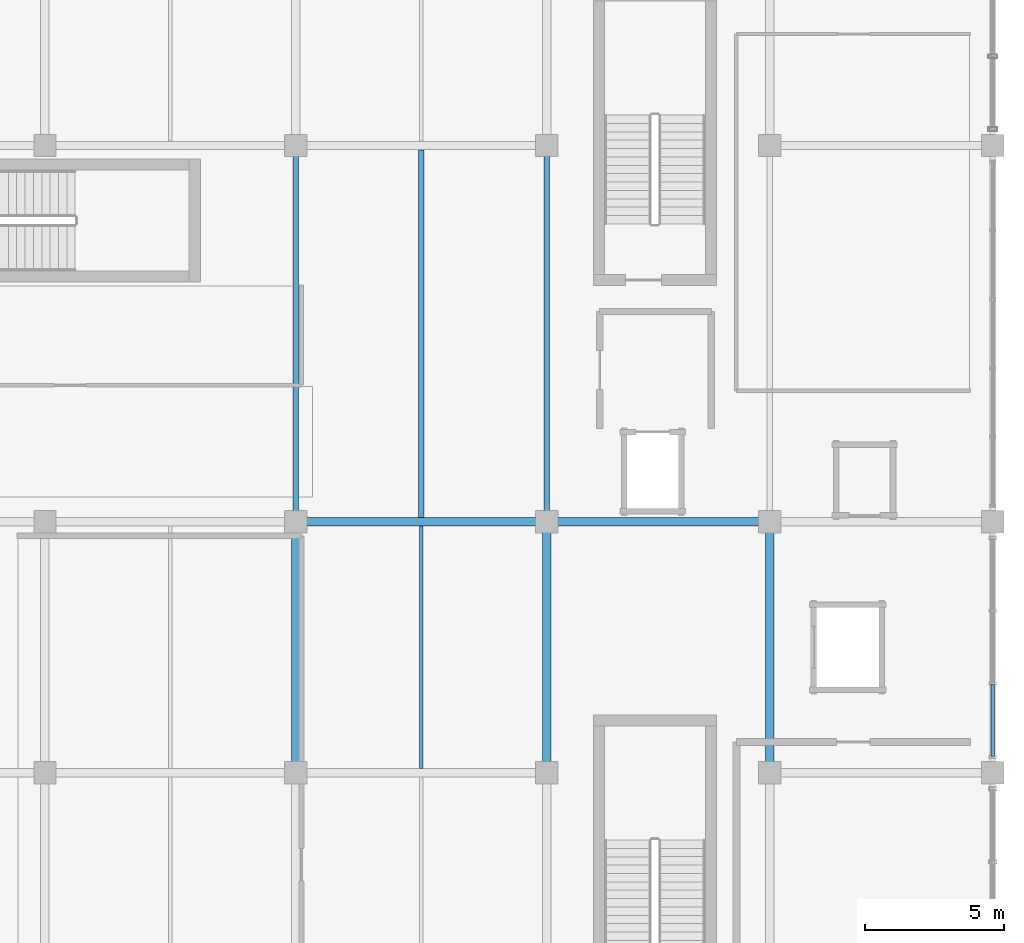
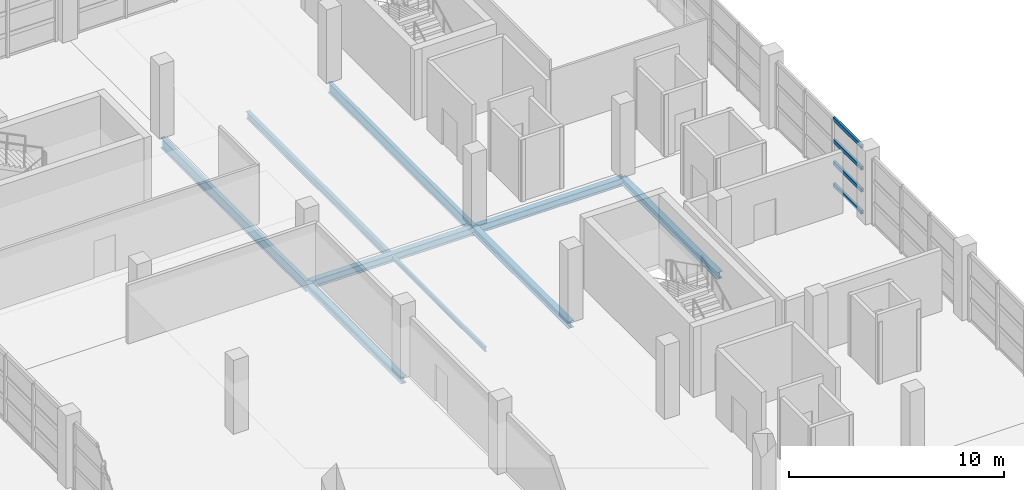
# One storey, part 92 of 136: 9 beams, 4 members, 1 element without a shape of its own.
"""IFC4 building model written with IfcOpenShell, lengths in metres."""

from ifc_helpers import new_model, si_unit, direction, frame, origin, origin_2d, place, context, subcontext, project, spatial, hollow_rectangle, i_section, extrude, material, material_profile, profile_set, type_object, element, aggregate, save


model = new_model("IFC4")

# Units and contexts
model_context = context("Model", 3, precision=1e-05, world=origin(), true_north=direction((0.0, 1.0)))
body_context = subcontext(model_context, "Body", "Model", "MODEL_VIEW")
ifc_project = project(units=[si_unit("LENGTHUNIT", "METRE"), si_unit("AREAUNIT", "SQUARE_METRE"), si_unit("VOLUMEUNIT", "CUBIC_METRE"), si_unit("PLANEANGLEUNIT", "RADIAN"), si_unit("MASSUNIT", "GRAM", prefix="KILO")], contexts=[model_context])

# Site, building, storey
site_placement = place(None, origin())
site = spatial("IfcSite", under=ifc_project, at=site_placement, CompositionType="ELEMENT")
building_placement = place(site_placement, origin())
building = spatial("IfcBuilding", under=site, at=building_placement, Name="Chuanluo Vaults Station", CompositionType="ELEMENT")
storey_placement = place(building_placement, frame((0.0, 0.0, 6.60009765625)))
storey = spatial("IfcBuildingStorey", under=building, at=storey_placement, Name="L01", CompositionType="ELEMENT", Elevation=6.60009765625)

# Beams
ifc_material_1 = material(Name="Steel Q355C", Category="steel")
ifc_material_profile_1 = material_profile(ifc_material_1, i_section(OverallWidth=0.300048828125, OverallDepth=0.389892578125, WebThickness=0.010009765625, FlangeThickness=0.01611328125, FilletRadius=0.02001953125, at=origin_2d()))
ifc_profile_set_1 = profile_set([ifc_material_profile_1], Name="Steel Q355C")
beam_type_1 = type_object("IfcBeamType", Name="BM-GRD-400", PredefinedType="BEAM", material=ifc_profile_set_1)
for number, where, z_axis, x_axis, name in (
    (1, (163.0, 94.5, -0.43505859375), (0.0, 1.0, 0.0), (-1.0, 0.0, 0.0), "Floor girder BM:GY:L01:0497"),
    (2, (172.0, 94.5, -0.43505859375), (0.0, 1.0, 0.0), (-1.0, 0.0, 0.0), "Floor girder BM:GY:L01:0509"),
    (3, (180.0, 94.5, -0.43505859375), (0.0, 1.0, 0.0), (-1.0, 0.0, 0.0), "Floor girder BM:GY:L01:0520"),
):
    element("IfcBeam", number, at=place(storey_placement, frame(where, z_axis=z_axis, x_axis=x_axis)), inside=storey, type_object=beam_type_1, Name=name, PredefinedType="BEAM", context=body_context, shape_type="SweptSolid", body=[
        extrude(i_section(OverallWidth=0.300048828125, OverallDepth=0.389892578125, WebThickness=0.010009765625, FlangeThickness=0.01611328125, FilletRadius=0.02001953125, at=origin_2d()), origin(), (0.0, 0.0, 1.0), 9.0),
    ])
ifc_material_2 = material(Name="Steel Q355C", Category="steel")
ifc_material_profile_2 = material_profile(ifc_material_2, i_section(OverallWidth=0.300048828125, OverallDepth=0.43994140625, WebThickness=0.010986328125, FlangeThickness=0.01806640625, FilletRadius=0.02001953125, at=origin_2d()))
ifc_profile_set_2 = profile_set([ifc_material_profile_2], Name="Steel Q355C")
beam_type_2 = type_object("IfcBeamType", Name="BM-GRD-450", PredefinedType="USERDEFINED", material=ifc_profile_set_2)
beam_1_placement = place(storey_placement, frame((163.0, 103.5, -0.460205078125), z_axis=(1.0, 0.0, 0.0), x_axis=(0.0, 1.0, 0.0)))
element("IfcBeam", 4, at=beam_1_placement, inside=storey, type_object=beam_type_2, Name="Floor girder BM:GX:L01:0374", ObjectType="GIRDER", PredefinedType="USERDEFINED", context=body_context, shape_type="SweptSolid", body=[
    extrude(i_section(OverallWidth=0.300048828125, OverallDepth=0.43994140625, WebThickness=0.010986328125, FlangeThickness=0.01806640625, FilletRadius=0.02001953125, at=origin_2d()), origin(), (0.0, 0.0, 1.0), 9.0),
])
beam_2_placement = place(storey_placement, frame((172.0, 103.5, -0.460205078125), z_axis=(1.0, 0.0, 0.0), x_axis=(0.0, 1.0, 0.0)))
element("IfcBeam", 5, at=beam_2_placement, inside=storey, type_object=beam_type_2, Name="Floor girder BM:GX:L01:0375", ObjectType="GIRDER", PredefinedType="USERDEFINED", context=body_context, shape_type="SweptSolid", body=[
    extrude(i_section(OverallWidth=0.300048828125, OverallDepth=0.43994140625, WebThickness=0.010986328125, FlangeThickness=0.01806640625, FilletRadius=0.02001953125, at=origin_2d()), origin(), (0.0, 0.0, 1.0), 8.0),
])
ifc_material_3 = material(Name="Steel Q355C", Category="steel")
ifc_material_profile_3 = material_profile(ifc_material_3, i_section(OverallWidth=0.199951171875, OverallDepth=0.60009765625, WebThickness=0.010986328125, FlangeThickness=0.01708984375, FilletRadius=0.01806640625, at=origin_2d()))
ifc_profile_set_3 = profile_set([ifc_material_profile_3], Name="Steel Q355C")
beam_type_3 = type_object("IfcBeamType", Name="BM-GRD-600", PredefinedType="USERDEFINED", material=ifc_profile_set_3)
for number, where, z_axis, x_axis, name in (
    (6, (163.0, 103.5, -0.5400390625), (0.0, 1.0, 0.0), (-1.0, 0.0, 0.0), "Floor girder BM:GY:L01:0498"),
    (7, (172.0, 103.5, -0.5400390625), (0.0, 1.0, 0.0), (-1.0, 0.0, 0.0), "Floor girder BM:GY:L01:0510"),
):
    element("IfcBeam", number, at=place(storey_placement, frame(where, z_axis=z_axis, x_axis=x_axis)), inside=storey, type_object=beam_type_3, Name=name, ObjectType="GIRDER", PredefinedType="USERDEFINED", context=body_context, shape_type="SweptSolid", body=[
        extrude(i_section(OverallWidth=0.199951171875, OverallDepth=0.60009765625, WebThickness=0.010986328125, FlangeThickness=0.01708984375, FilletRadius=0.01806640625, at=origin_2d()), origin(), (0.0, 0.0, 1.0), 13.5),
    ])
ifc_material_4 = material(Name="Steel Q355C", Category="steel")
ifc_material_profile_4 = material_profile(ifc_material_4, i_section(OverallWidth=0.125, OverallDepth=0.25, WebThickness=0.006103515625, FlangeThickness=0.009033203125, FilletRadius=0.011962890625, at=origin_2d()))
ifc_profile_set_4 = profile_set([ifc_material_profile_4], Name="Steel Q355C")
beam_type_4 = type_object("IfcBeamType", Name="BM-SEC-250", PredefinedType="JOIST", material=ifc_profile_set_4)
beam_3_placement = place(storey_placement, frame((167.5, 94.655029296875, -0.364990234375), z_axis=(0.0, 1.0, 0.0), x_axis=(-1.0, 0.0, 0.0)))
element("IfcBeam", 8, at=beam_3_placement, inside=storey, type_object=beam_type_4, Name="Composite secondary joist 0184", PredefinedType="JOIST", context=body_context, shape_type="SweptSolid", body=[
    extrude(i_section(OverallWidth=0.125, OverallDepth=0.25, WebThickness=0.006103515625, FlangeThickness=0.009033203125, FilletRadius=0.011962890625, at=origin_2d()), origin(), (0.0, 0.0, 1.0), 8.68994140625),
])
ifc_material_5 = material(Name="Steel Q355C", Category="steel")
ifc_material_profile_5 = material_profile(ifc_material_5, i_section(OverallWidth=0.199951171875, OverallDepth=0.39990234375, WebThickness=0.008056640625, FlangeThickness=0.012939453125, FilletRadius=0.01611328125, at=origin_2d()))
ifc_profile_set_5 = profile_set([ifc_material_profile_5], Name="Steel Q355C")
beam_type_5 = type_object("IfcBeamType", Name="BM-SEC-400", PredefinedType="BEAM", material=ifc_profile_set_5)
beam_4_placement = place(storey_placement, frame((167.5, 103.655029296875, -0.440185546875), z_axis=(0.0, 1.0, 0.0), x_axis=(-1.0, 0.0, 0.0)))
element("IfcBeam", 9, at=beam_4_placement, inside=storey, type_object=beam_type_5, Name="Composite secondary joist 0185", PredefinedType="BEAM", context=body_context, shape_type="SweptSolid", body=[
    extrude(i_section(OverallWidth=0.199951171875, OverallDepth=0.39990234375, WebThickness=0.008056640625, FlangeThickness=0.012939453125, FilletRadius=0.01611328125, at=origin_2d()), origin(), (0.0, 0.0, 1.0), 13.18994140625),
])

# Curtain wall, members
ifc_material_6 = material(Name="Anodised aluminium 6063-T6", Category="aluminium")
curtain_wall_type = type_object("IfcCurtainWallType", Name="CW-SYS-27", PredefinedType="NOTDEFINED", material=ifc_material_6)
curtain_wall_placement = place(storey_placement, origin())
curtain_wall = element("IfcCurtainWall", 10, at=curtain_wall_placement, inside=storey, type_object=curtain_wall_type, Name="Operations L01 facade CW", PredefinedType="NOTDEFINED")
ifc_material_7 = material(Name="Anodised aluminium 6063-T6", Category="aluminium")
ifc_material_profile_6 = material_profile(ifc_material_7, hollow_rectangle(XDim=0.1201171875, YDim=0.205078125, WallThickness=0.006103515625, at=origin_2d()))
ifc_profile_set_6 = profile_set([ifc_material_profile_6], Name="Anodised aluminium 6063-T6")
member_type = type_object("IfcMemberType", Name="CWT-130", PredefinedType="USERDEFINED", material=ifc_profile_set_6)
member_1_placement = place(storey_placement, frame((188.0, 97.691650390625, 0.0), z_axis=(0.0, -1.0, 0.0), x_axis=(1.0, 0.0, 0.0)))
member_1 = element("IfcMember", 11, at=member_1_placement, type_object=member_type, Name="Operations L01 facade CW transom 3.1", ObjectType="TRANSOM", PredefinedType="USERDEFINED", context=body_context, shape_type="SweptSolid", body=[
    extrude(hollow_rectangle(XDim=0.1201171875, YDim=0.205078125, WallThickness=0.006103515625, at=origin_2d()), origin(), (0.0, 0.0, 1.0), 2.61669921875),
])
member_2_placement = place(storey_placement, frame((188.0, 97.691650390625, 1.25), z_axis=(0.0, -1.0, 0.0), x_axis=(1.0, 0.0, 0.0)))
member_2 = element("IfcMember", 12, at=member_2_placement, type_object=member_type, Name="Operations L01 facade CW transom 3.2", ObjectType="TRANSOM", PredefinedType="USERDEFINED", context=body_context, shape_type="SweptSolid", body=[
    extrude(hollow_rectangle(XDim=0.1201171875, YDim=0.205078125, WallThickness=0.006103515625, at=origin_2d()), origin(), (0.0, 0.0, 1.0), 2.61669921875),
])
member_3_placement = place(storey_placement, frame((188.0, 97.691650390625, 2.5), z_axis=(0.0, -1.0, 0.0), x_axis=(1.0, 0.0, 0.0)))
member_3 = element("IfcMember", 13, at=member_3_placement, type_object=member_type, Name="Operations L01 facade CW transom 3.3", ObjectType="TRANSOM", PredefinedType="USERDEFINED", context=body_context, shape_type="SweptSolid", body=[
    extrude(hollow_rectangle(XDim=0.1201171875, YDim=0.205078125, WallThickness=0.006103515625, at=origin_2d()), origin(), (0.0, 0.0, 1.0), 2.61669921875),
])
member_4_placement = place(storey_placement, frame((188.0, 97.691650390625, 3.75), z_axis=(0.0, -1.0, 0.0), x_axis=(1.0, 0.0, 0.0)))
member_4 = element("IfcMember", 14, at=member_4_placement, type_object=member_type, Name="Operations L01 facade CW transom 3.4", ObjectType="TRANSOM", PredefinedType="USERDEFINED", context=body_context, shape_type="SweptSolid", body=[
    extrude(hollow_rectangle(XDim=0.1201171875, YDim=0.205078125, WallThickness=0.006103515625, at=origin_2d()), origin(), (0.0, 0.0, 1.0), 2.61669921875),
])
aggregate(curtain_wall, [member_1, member_2, member_3, member_4])

save(model, "model.ifc")
